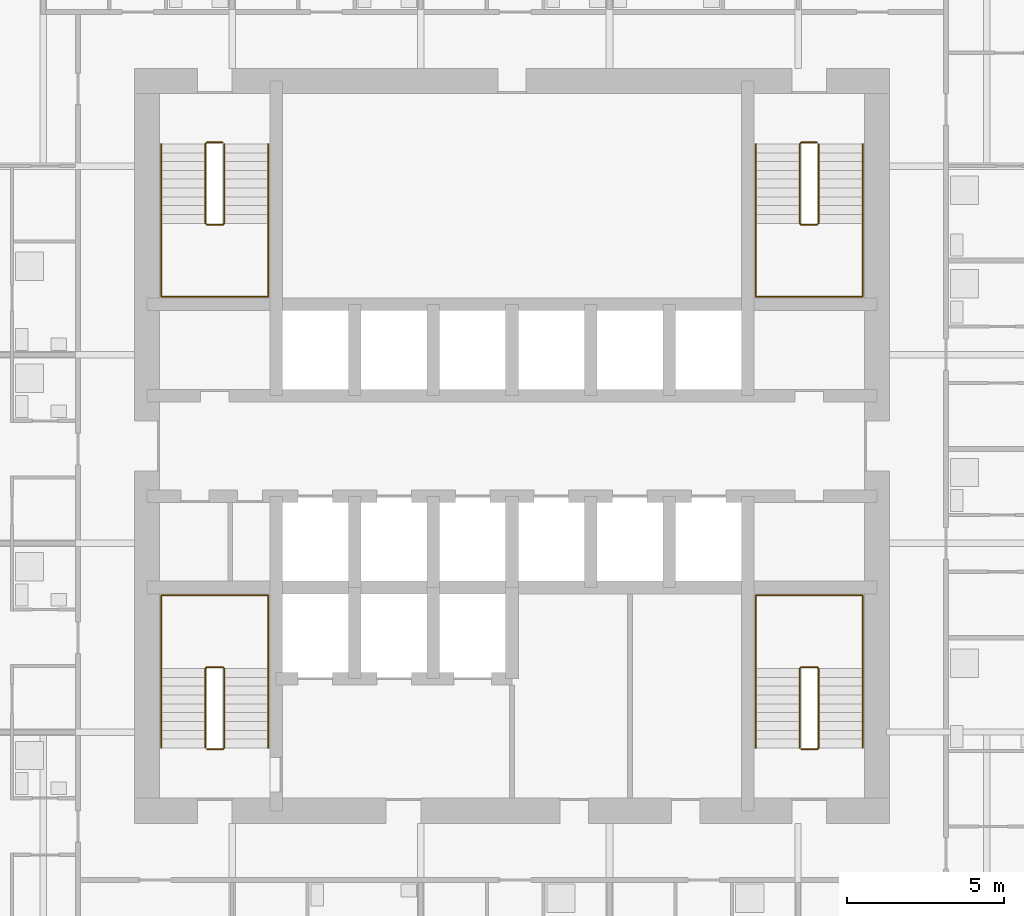
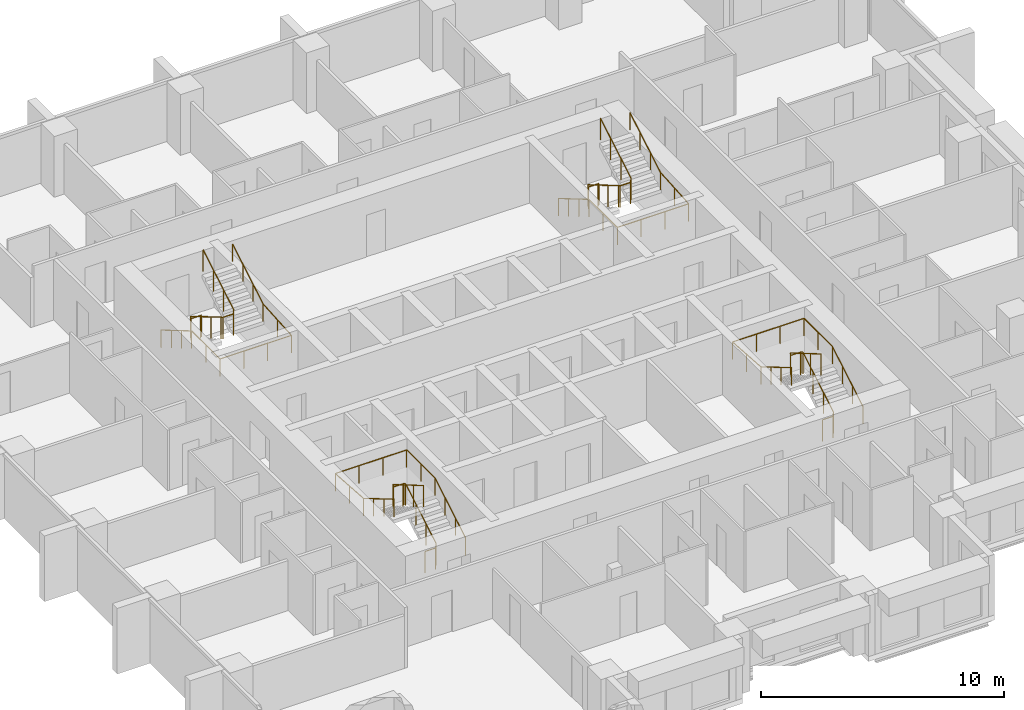
# One storey, part 10 of 11: 8 railings.
"""IFC4 building model written with IfcOpenShell, lengths in metres."""

from ifc_helpers import new_model, si_unit, direction, frame, origin, origin_2d, place, context, subcontext, project, spatial, circle, extrude, material, type_object, element, save


model = new_model("IFC4")

# Units and contexts
model_context = context("Model", 3, precision=1e-05, world=origin(), true_north=direction((0.0, 1.0)))
body_context = subcontext(model_context, "Body", "Model", "MODEL_VIEW")
ifc_project = project(units=[si_unit("LENGTHUNIT", "METRE"), si_unit("AREAUNIT", "SQUARE_METRE"), si_unit("VOLUMEUNIT", "CUBIC_METRE"), si_unit("PLANEANGLEUNIT", "RADIAN"), si_unit("MASSUNIT", "GRAM", prefix="KILO")], contexts=[model_context])

# Site, building, storey
site_placement = place(None, origin())
site = spatial("IfcSite", under=ifc_project, at=site_placement, CompositionType="ELEMENT")
building_placement = place(site_placement, origin())
building = spatial("IfcBuilding", under=site, at=building_placement, Name="Amberfall Residences", CompositionType="ELEMENT")
storey_placement = place(building_placement, frame((0.0, 0.0, 95.199951171875)))
storey = spatial("IfcBuildingStorey", under=building, at=storey_placement, Name="L25", CompositionType="ELEMENT", Elevation=95.199951171875)

# Railings
ifc_material = material(Name="Stainless steel 316", Category="steel")
railing_type_1 = type_object("IfcRailingType", Name="Stair guard 1100", PredefinedType="GUARDRAIL", material=ifc_material)
railing_1_placement = place(storey_placement, frame((64.800048828125, 35.85009765625, 0.0)))
element("IfcRailing", 1, at=railing_1_placement, inside=storey, type_object=railing_type_1, Name="L25 stair 1 guard", PredefinedType="GUARDRAIL", context=body_context, shape_type="SweptSolid", body=[
    extrude(circle(Radius=0.02392578125, at=origin_2d()), frame((0.0, 0.0, 1.076171875), z_axis=(1.0, 0.0, 0.0), x_axis=(0.0, 1.0, 0.0)), (0.0, 0.0, 1.0), 0.5),
    extrude(circle(Radius=0.02392578125, at=origin_2d()), frame((0.5, 0.0, 1.076171875), z_axis=(0.278810427259, 0.277450376394, 0.919394384522), x_axis=(-0.705375805398, 0.708833529934, 0.0)), (0.0, 0.0, 1.0), 0.179443359375),
    extrude(circle(Radius=0.02392578125, at=origin_2d()), frame((0.550048828125, 0.0498046875, 1.2412109375), z_axis=(0.0, 0.86152411907, 0.507716645641), x_axis=(-1.0, 0.0, 0.0)), (0.0, 0.0, 1.0), 2.925048828125),
    extrude(circle(Radius=0.02392578125, at=origin_2d()), frame((0.550048828125, 2.56982421875, 2.72607421875), z_axis=(-0.707106781187, 0.707106781187, 0.0), x_axis=(-0.707106781187, -0.707106781187, 0.0)), (0.0, 0.0, 1.0), 0.07080078125),
    extrude(circle(Radius=0.02392578125, at=origin_2d()), frame((0.5, 2.619873046875, 2.72607421875), z_axis=(-1.0, 0.0, 0.0), x_axis=(0.0, -1.0, 0.0)), (0.0, 0.0, 1.0), 0.5),
    extrude(circle(Radius=0.02392578125, at=origin_2d()), frame((0.0, 2.619873046875, 2.72607421875), z_axis=(-0.279053652268, -0.279053652268, 0.918835196492), x_axis=(0.707106781187, -0.707106781187, 0.0)), (0.0, 0.0, 1.0), 0.179443359375),
    extrude(circle(Radius=0.02392578125, at=origin_2d()), frame((-0.050048828125, 2.56982421875, 2.89111328125), z_axis=(0.0, -0.86152411907, 0.507716645641), x_axis=(1.0, 0.0, 0.0)), (0.0, 0.0, 1.0), 2.925048828125),
    extrude(circle(Radius=0.02099609375, at=origin_2d()), origin(), (0.0, 0.0, 1.0), 1.052001953125),
    extrude(circle(Radius=0.02099609375, at=origin_2d()), frame((0.5, 0.0, 0.0)), (0.0, 0.0, 1.0), 1.052001953125),
    extrude(circle(Radius=0.02099609375, at=origin_2d()), frame((0.550048828125, 0.0498046875, 0.1650390625)), (0.0, 0.0, 1.0), 1.052001953125),
    extrude(circle(Radius=0.02099609375, at=origin_2d()), frame((0.550048828125, 0.889892578125, 0.66015625)), (0.0, 0.0, 1.0), 1.052001953125),
    extrude(circle(Radius=0.02099609375, at=origin_2d()), frame((0.550048828125, 1.729736328125, 1.155029296875)), (0.0, 0.0, 1.0), 1.052001953125),
    extrude(circle(Radius=0.02099609375, at=origin_2d()), frame((0.550048828125, 2.56982421875, 1.650146484375)), (0.0, 0.0, 1.0), 1.052001953125),
    extrude(circle(Radius=0.02099609375, at=origin_2d()), frame((0.5, 2.619873046875, 1.650146484375)), (0.0, 0.0, 1.0), 1.052001953125),
    extrude(circle(Radius=0.02099609375, at=origin_2d()), frame((0.0, 2.619873046875, 1.650146484375)), (0.0, 0.0, 1.0), 1.052001953125),
    extrude(circle(Radius=0.02099609375, at=origin_2d()), frame((-0.050048828125, 2.56982421875, 1.81494140625)), (0.0, 0.0, 1.0), 1.052001953125),
    extrude(circle(Radius=0.02099609375, at=origin_2d()), frame((-0.050048828125, 1.729736328125, 2.31005859375)), (0.0, 0.0, 1.0), 1.052001953125),
    extrude(circle(Radius=0.02099609375, at=origin_2d()), frame((-0.050048828125, 0.889892578125, 2.804931640625)), (0.0, 0.0, 1.0), 1.052001953125),
    extrude(circle(Radius=0.02099609375, at=origin_2d()), frame((-0.050048828125, 0.0498046875, 3.300048828125)), (0.0, 0.0, 1.0), 1.052001953125),
])
railing_2_placement = place(storey_placement, frame((83.699951171875, 35.85009765625, 0.0)))
element("IfcRailing", 2, at=railing_2_placement, inside=storey, type_object=railing_type_1, Name="L25 stair 2 guard", PredefinedType="GUARDRAIL", context=body_context, shape_type="SweptSolid", body=[
    extrude(circle(Radius=0.02392578125, at=origin_2d()), frame((0.0, 0.0, 1.076171875), z_axis=(1.0, 0.0, 0.0), x_axis=(0.0, 1.0, 0.0)), (0.0, 0.0, 1.0), 0.5),
    extrude(circle(Radius=0.02392578125, at=origin_2d()), frame((0.5, 0.0, 1.076171875), z_axis=(0.278810427259, 0.277450376394, 0.919394384522), x_axis=(-0.705375805398, 0.708833529934, 0.0)), (0.0, 0.0, 1.0), 0.179443359375),
    extrude(circle(Radius=0.02392578125, at=origin_2d()), frame((0.550048828125, 0.0498046875, 1.2412109375), z_axis=(0.0, 0.86152411907, 0.507716645641), x_axis=(-1.0, 0.0, 0.0)), (0.0, 0.0, 1.0), 2.925048828125),
    extrude(circle(Radius=0.02392578125, at=origin_2d()), frame((0.550048828125, 2.56982421875, 2.72607421875), z_axis=(-0.707106781187, 0.707106781187, 0.0), x_axis=(-0.707106781187, -0.707106781187, 0.0)), (0.0, 0.0, 1.0), 0.07080078125),
    extrude(circle(Radius=0.02392578125, at=origin_2d()), frame((0.5, 2.619873046875, 2.72607421875), z_axis=(-1.0, 0.0, 0.0), x_axis=(0.0, -1.0, 0.0)), (0.0, 0.0, 1.0), 0.5),
    extrude(circle(Radius=0.02392578125, at=origin_2d()), frame((0.0, 2.619873046875, 2.72607421875), z_axis=(-0.279053652268, -0.279053652268, 0.918835196492), x_axis=(0.707106781187, -0.707106781187, 0.0)), (0.0, 0.0, 1.0), 0.179443359375),
    extrude(circle(Radius=0.02392578125, at=origin_2d()), frame((-0.050048828125, 2.56982421875, 2.89111328125), z_axis=(0.0, -0.86152411907, 0.507716645641), x_axis=(1.0, 0.0, 0.0)), (0.0, 0.0, 1.0), 2.925048828125),
    extrude(circle(Radius=0.02099609375, at=origin_2d()), origin(), (0.0, 0.0, 1.0), 1.052001953125),
    extrude(circle(Radius=0.02099609375, at=origin_2d()), frame((0.5, 0.0, 0.0)), (0.0, 0.0, 1.0), 1.052001953125),
    extrude(circle(Radius=0.02099609375, at=origin_2d()), frame((0.550048828125, 0.0498046875, 0.1650390625)), (0.0, 0.0, 1.0), 1.052001953125),
    extrude(circle(Radius=0.02099609375, at=origin_2d()), frame((0.550048828125, 0.889892578125, 0.66015625)), (0.0, 0.0, 1.0), 1.052001953125),
    extrude(circle(Radius=0.02099609375, at=origin_2d()), frame((0.550048828125, 1.729736328125, 1.155029296875)), (0.0, 0.0, 1.0), 1.052001953125),
    extrude(circle(Radius=0.02099609375, at=origin_2d()), frame((0.550048828125, 2.56982421875, 1.650146484375)), (0.0, 0.0, 1.0), 1.052001953125),
    extrude(circle(Radius=0.02099609375, at=origin_2d()), frame((0.5, 2.619873046875, 1.650146484375)), (0.0, 0.0, 1.0), 1.052001953125),
    extrude(circle(Radius=0.02099609375, at=origin_2d()), frame((0.0, 2.619873046875, 1.650146484375)), (0.0, 0.0, 1.0), 1.052001953125),
    extrude(circle(Radius=0.02099609375, at=origin_2d()), frame((-0.050048828125, 2.56982421875, 1.81494140625)), (0.0, 0.0, 1.0), 1.052001953125),
    extrude(circle(Radius=0.02099609375, at=origin_2d()), frame((-0.050048828125, 1.729736328125, 2.31005859375)), (0.0, 0.0, 1.0), 1.052001953125),
    extrude(circle(Radius=0.02099609375, at=origin_2d()), frame((-0.050048828125, 0.889892578125, 2.804931640625)), (0.0, 0.0, 1.0), 1.052001953125),
    extrude(circle(Radius=0.02099609375, at=origin_2d()), frame((-0.050048828125, 0.0498046875, 3.300048828125)), (0.0, 0.0, 1.0), 1.052001953125),
])
railing_3_placement = place(storey_placement, frame((84.199951171875, 55.14990234375, 0.0)))
element("IfcRailing", 3, at=railing_3_placement, inside=storey, type_object=railing_type_1, Name="L25 stair 3 guard", PredefinedType="GUARDRAIL", context=body_context, shape_type="SweptSolid", body=[
    extrude(circle(Radius=0.02392578125, at=origin_2d()), frame((0.0, 0.0, 1.076171875), z_axis=(-1.0, 0.0, 0.0), x_axis=(0.0, -1.0, 0.0)), (0.0, 0.0, 1.0), 0.5),
    extrude(circle(Radius=0.02392578125, at=origin_2d()), frame((-0.5, 0.0, 1.076171875), z_axis=(-0.278810427259, -0.277450376394, 0.919394384522), x_axis=(0.705375805398, -0.708833529934, 0.0)), (0.0, 0.0, 1.0), 0.179443359375),
    extrude(circle(Radius=0.02392578125, at=origin_2d()), frame((-0.550048828125, -0.0498046875, 1.2412109375), z_axis=(0.0, -0.86152411907, 0.507716645641), x_axis=(1.0, 0.0, 0.0)), (0.0, 0.0, 1.0), 2.925048828125),
    extrude(circle(Radius=0.02392578125, at=origin_2d()), frame((-0.550048828125, -2.56982421875, 2.72607421875), z_axis=(0.707106781187, -0.707106781187, 0.0), x_axis=(0.707106781187, 0.707106781187, 0.0)), (0.0, 0.0, 1.0), 0.07080078125),
    extrude(circle(Radius=0.02392578125, at=origin_2d()), frame((-0.5, -2.619873046875, 2.72607421875), z_axis=(1.0, 0.0, 0.0), x_axis=(0.0, 1.0, 0.0)), (0.0, 0.0, 1.0), 0.5),
    extrude(circle(Radius=0.02392578125, at=origin_2d()), frame((0.0, -2.619873046875, 2.72607421875), z_axis=(0.279053652268, 0.279053652268, 0.918835196492), x_axis=(-0.707106781187, 0.707106781187, 0.0)), (0.0, 0.0, 1.0), 0.179443359375),
    extrude(circle(Radius=0.02392578125, at=origin_2d()), frame((0.050048828125, -2.56982421875, 2.89111328125), z_axis=(0.0, 0.86152411907, 0.507716645641), x_axis=(-1.0, 0.0, 0.0)), (0.0, 0.0, 1.0), 2.925048828125),
    extrude(circle(Radius=0.02099609375, at=origin_2d()), origin(), (0.0, 0.0, 1.0), 1.052001953125),
    extrude(circle(Radius=0.02099609375, at=origin_2d()), frame((-0.5, 0.0, 0.0)), (0.0, 0.0, 1.0), 1.052001953125),
    extrude(circle(Radius=0.02099609375, at=origin_2d()), frame((-0.550048828125, -0.0498046875, 0.1650390625)), (0.0, 0.0, 1.0), 1.052001953125),
    extrude(circle(Radius=0.02099609375, at=origin_2d()), frame((-0.550048828125, -0.889892578125, 0.66015625)), (0.0, 0.0, 1.0), 1.052001953125),
    extrude(circle(Radius=0.02099609375, at=origin_2d()), frame((-0.550048828125, -1.729736328125, 1.155029296875)), (0.0, 0.0, 1.0), 1.052001953125),
    extrude(circle(Radius=0.02099609375, at=origin_2d()), frame((-0.550048828125, -2.56982421875, 1.650146484375)), (0.0, 0.0, 1.0), 1.052001953125),
    extrude(circle(Radius=0.02099609375, at=origin_2d()), frame((-0.5, -2.619873046875, 1.650146484375)), (0.0, 0.0, 1.0), 1.052001953125),
    extrude(circle(Radius=0.02099609375, at=origin_2d()), frame((0.0, -2.619873046875, 1.650146484375)), (0.0, 0.0, 1.0), 1.052001953125),
    extrude(circle(Radius=0.02099609375, at=origin_2d()), frame((0.050048828125, -2.56982421875, 1.81494140625)), (0.0, 0.0, 1.0), 1.052001953125),
    extrude(circle(Radius=0.02099609375, at=origin_2d()), frame((0.050048828125, -1.729736328125, 2.31005859375)), (0.0, 0.0, 1.0), 1.052001953125),
    extrude(circle(Radius=0.02099609375, at=origin_2d()), frame((0.050048828125, -0.889892578125, 2.804931640625)), (0.0, 0.0, 1.0), 1.052001953125),
    extrude(circle(Radius=0.02099609375, at=origin_2d()), frame((0.050048828125, -0.0498046875, 3.300048828125)), (0.0, 0.0, 1.0), 1.052001953125),
])
railing_4_placement = place(storey_placement, frame((65.300048828125, 55.14990234375, 0.0)))
element("IfcRailing", 4, at=railing_4_placement, inside=storey, type_object=railing_type_1, Name="L25 stair 4 guard", PredefinedType="GUARDRAIL", context=body_context, shape_type="SweptSolid", body=[
    extrude(circle(Radius=0.02392578125, at=origin_2d()), frame((0.0, 0.0, 1.076171875), z_axis=(-1.0, 0.0, 0.0), x_axis=(0.0, -1.0, 0.0)), (0.0, 0.0, 1.0), 0.5),
    extrude(circle(Radius=0.02392578125, at=origin_2d()), frame((-0.5, 0.0, 1.076171875), z_axis=(-0.278810427259, -0.277450376394, 0.919394384522), x_axis=(0.705375805398, -0.708833529934, 0.0)), (0.0, 0.0, 1.0), 0.179443359375),
    extrude(circle(Radius=0.02392578125, at=origin_2d()), frame((-0.550048828125, -0.0498046875, 1.2412109375), z_axis=(0.0, -0.86152411907, 0.507716645641), x_axis=(1.0, 0.0, 0.0)), (0.0, 0.0, 1.0), 2.925048828125),
    extrude(circle(Radius=0.02392578125, at=origin_2d()), frame((-0.550048828125, -2.56982421875, 2.72607421875), z_axis=(0.707106781187, -0.707106781187, 0.0), x_axis=(0.707106781187, 0.707106781187, 0.0)), (0.0, 0.0, 1.0), 0.07080078125),
    extrude(circle(Radius=0.02392578125, at=origin_2d()), frame((-0.5, -2.619873046875, 2.72607421875), z_axis=(1.0, 0.0, 0.0), x_axis=(0.0, 1.0, 0.0)), (0.0, 0.0, 1.0), 0.5),
    extrude(circle(Radius=0.02392578125, at=origin_2d()), frame((0.0, -2.619873046875, 2.72607421875), z_axis=(0.279053652268, 0.279053652268, 0.918835196492), x_axis=(-0.707106781187, 0.707106781187, 0.0)), (0.0, 0.0, 1.0), 0.179443359375),
    extrude(circle(Radius=0.02392578125, at=origin_2d()), frame((0.050048828125, -2.56982421875, 2.89111328125), z_axis=(0.0, 0.86152411907, 0.507716645641), x_axis=(-1.0, 0.0, 0.0)), (0.0, 0.0, 1.0), 2.925048828125),
    extrude(circle(Radius=0.02099609375, at=origin_2d()), origin(), (0.0, 0.0, 1.0), 1.052001953125),
    extrude(circle(Radius=0.02099609375, at=origin_2d()), frame((-0.5, 0.0, 0.0)), (0.0, 0.0, 1.0), 1.052001953125),
    extrude(circle(Radius=0.02099609375, at=origin_2d()), frame((-0.550048828125, -0.0498046875, 0.1650390625)), (0.0, 0.0, 1.0), 1.052001953125),
    extrude(circle(Radius=0.02099609375, at=origin_2d()), frame((-0.550048828125, -0.889892578125, 0.66015625)), (0.0, 0.0, 1.0), 1.052001953125),
    extrude(circle(Radius=0.02099609375, at=origin_2d()), frame((-0.550048828125, -1.729736328125, 1.155029296875)), (0.0, 0.0, 1.0), 1.052001953125),
    extrude(circle(Radius=0.02099609375, at=origin_2d()), frame((-0.550048828125, -2.56982421875, 1.650146484375)), (0.0, 0.0, 1.0), 1.052001953125),
    extrude(circle(Radius=0.02099609375, at=origin_2d()), frame((-0.5, -2.619873046875, 1.650146484375)), (0.0, 0.0, 1.0), 1.052001953125),
    extrude(circle(Radius=0.02099609375, at=origin_2d()), frame((0.0, -2.619873046875, 1.650146484375)), (0.0, 0.0, 1.0), 1.052001953125),
    extrude(circle(Radius=0.02099609375, at=origin_2d()), frame((0.050048828125, -2.56982421875, 1.81494140625)), (0.0, 0.0, 1.0), 1.052001953125),
    extrude(circle(Radius=0.02099609375, at=origin_2d()), frame((0.050048828125, -1.729736328125, 2.31005859375)), (0.0, 0.0, 1.0), 1.052001953125),
    extrude(circle(Radius=0.02099609375, at=origin_2d()), frame((0.050048828125, -0.889892578125, 2.804931640625)), (0.0, 0.0, 1.0), 1.052001953125),
    extrude(circle(Radius=0.02099609375, at=origin_2d()), frame((0.050048828125, -0.0498046875, 3.300048828125)), (0.0, 0.0, 1.0), 1.052001953125),
])
railing_type_2 = type_object("IfcRailingType", Name="Stair handrail 900", PredefinedType="HANDRAIL", material=ifc_material)
railing_5_placement = place(storey_placement, frame((66.75, 35.89990234375, 0.1650390625)))
element("IfcRailing", 5, at=railing_5_placement, inside=storey, type_object=railing_type_2, Name="L25 stair 1 handrail", PredefinedType="HANDRAIL", context=body_context, shape_type="SweptSolid", body=[
    extrude(circle(Radius=0.02392578125, at=origin_2d()), frame((0.0, 0.0, 0.8759765625), z_axis=(0.0, 0.86152411907, 0.507716645641), x_axis=(-1.0, 0.0, 0.0)), (0.0, 0.0, 1.0), 2.925048828125),
    extrude(circle(Radius=0.02392578125, at=origin_2d()), frame((0.0, 2.52001953125, 2.36083984375), z_axis=(0.0, 1.0, 0.0), x_axis=(-1.0, 0.0, 0.0)), (0.0, 0.0, 1.0), 2.330078125),
    extrude(circle(Radius=0.02392578125, at=origin_2d()), frame((0.0, 4.85009765625, 2.36083984375), z_axis=(-1.0, 0.0, 0.0), x_axis=(0.0, -1.0, 0.0)), (0.0, 0.0, 1.0), 3.39990234375),
    extrude(circle(Radius=0.02392578125, at=origin_2d()), frame((-3.39990234375, 4.85009765625, 2.36083984375), z_axis=(0.0, -0.997508326432, 0.070548839097), x_axis=(1.0, 0.0, 0.0)), (0.0, 0.0, 1.0), 2.3359375),
    extrude(circle(Radius=0.02392578125, at=origin_2d()), frame((-3.39990234375, 2.52001953125, 2.52587890625), z_axis=(0.0, -0.86152411907, 0.507716645641), x_axis=(1.0, 0.0, 0.0)), (0.0, 0.0, 1.0), 2.925048828125),
    extrude(circle(Radius=0.02099609375, at=origin_2d()), origin(), (0.0, 0.0, 1.0), 0.851806640625),
    extrude(circle(Radius=0.02099609375, at=origin_2d()), frame((0.0, 0.840087890625, 0.4951171875)), (0.0, 0.0, 1.0), 0.851806640625),
    extrude(circle(Radius=0.02099609375, at=origin_2d()), frame((0.0, 1.679931640625, 0.989990234375)), (0.0, 0.0, 1.0), 0.851806640625),
    extrude(circle(Radius=0.02099609375, at=origin_2d()), frame((0.0, 2.52001953125, 1.485107421875)), (0.0, 0.0, 1.0), 0.851806640625),
    extrude(circle(Radius=0.02099609375, at=origin_2d()), frame((0.0, 3.68505859375, 1.485107421875)), (0.0, 0.0, 1.0), 0.851806640625),
    extrude(circle(Radius=0.02099609375, at=origin_2d()), frame((0.0, 4.85009765625, 1.485107421875)), (0.0, 0.0, 1.0), 0.851806640625),
    extrude(circle(Radius=0.02099609375, at=origin_2d()), frame((-1.13330078125, 4.85009765625, 1.485107421875)), (0.0, 0.0, 1.0), 0.851806640625),
    extrude(circle(Radius=0.02099609375, at=origin_2d()), frame((-2.2666015625, 4.85009765625, 1.485107421875)), (0.0, 0.0, 1.0), 0.851806640625),
    extrude(circle(Radius=0.02099609375, at=origin_2d()), frame((-3.39990234375, 4.85009765625, 1.485107421875)), (0.0, 0.0, 1.0), 0.851806640625),
    extrude(circle(Radius=0.02099609375, at=origin_2d()), frame((-3.39990234375, 3.68505859375, 1.5673828125)), (0.0, 0.0, 1.0), 0.851806640625),
    extrude(circle(Radius=0.02099609375, at=origin_2d()), frame((-3.39990234375, 2.52001953125, 1.64990234375)), (0.0, 0.0, 1.0), 0.851806640625),
    extrude(circle(Radius=0.02099609375, at=origin_2d()), frame((-3.39990234375, 1.679931640625, 2.14501953125)), (0.0, 0.0, 1.0), 0.851806640625),
    extrude(circle(Radius=0.02099609375, at=origin_2d()), frame((-3.39990234375, 0.840087890625, 2.639892578125)), (0.0, 0.0, 1.0), 0.851806640625),
    extrude(circle(Radius=0.02099609375, at=origin_2d()), frame((-3.39990234375, 0.0, 3.135009765625)), (0.0, 0.0, 1.0), 0.851806640625),
])
railing_6_placement = place(storey_placement, frame((85.64990234375, 35.89990234375, 0.1650390625)))
element("IfcRailing", 6, at=railing_6_placement, inside=storey, type_object=railing_type_2, Name="L25 stair 2 handrail", PredefinedType="HANDRAIL", context=body_context, shape_type="SweptSolid", body=[
    extrude(circle(Radius=0.02392578125, at=origin_2d()), frame((0.0, 0.0, 0.8759765625), z_axis=(0.0, 0.86152411907, 0.507716645641), x_axis=(-1.0, 0.0, 0.0)), (0.0, 0.0, 1.0), 2.925048828125),
    extrude(circle(Radius=0.02392578125, at=origin_2d()), frame((0.0, 2.52001953125, 2.36083984375), z_axis=(0.0, 1.0, 0.0), x_axis=(-1.0, 0.0, 0.0)), (0.0, 0.0, 1.0), 2.330078125),
    extrude(circle(Radius=0.02392578125, at=origin_2d()), frame((0.0, 4.85009765625, 2.36083984375), z_axis=(-1.0, 0.0, 0.0), x_axis=(0.0, -1.0, 0.0)), (0.0, 0.0, 1.0), 3.39990234375),
    extrude(circle(Radius=0.02392578125, at=origin_2d()), frame((-3.39990234375, 4.85009765625, 2.36083984375), z_axis=(0.0, -0.997508326432, 0.070548839097), x_axis=(1.0, 0.0, 0.0)), (0.0, 0.0, 1.0), 2.3359375),
    extrude(circle(Radius=0.02392578125, at=origin_2d()), frame((-3.39990234375, 2.52001953125, 2.52587890625), z_axis=(0.0, -0.86152411907, 0.507716645641), x_axis=(1.0, 0.0, 0.0)), (0.0, 0.0, 1.0), 2.925048828125),
    extrude(circle(Radius=0.02099609375, at=origin_2d()), origin(), (0.0, 0.0, 1.0), 0.851806640625),
    extrude(circle(Radius=0.02099609375, at=origin_2d()), frame((0.0, 0.840087890625, 0.4951171875)), (0.0, 0.0, 1.0), 0.851806640625),
    extrude(circle(Radius=0.02099609375, at=origin_2d()), frame((0.0, 1.679931640625, 0.989990234375)), (0.0, 0.0, 1.0), 0.851806640625),
    extrude(circle(Radius=0.02099609375, at=origin_2d()), frame((0.0, 2.52001953125, 1.485107421875)), (0.0, 0.0, 1.0), 0.851806640625),
    extrude(circle(Radius=0.02099609375, at=origin_2d()), frame((0.0, 3.68505859375, 1.485107421875)), (0.0, 0.0, 1.0), 0.851806640625),
    extrude(circle(Radius=0.02099609375, at=origin_2d()), frame((0.0, 4.85009765625, 1.485107421875)), (0.0, 0.0, 1.0), 0.851806640625),
    extrude(circle(Radius=0.02099609375, at=origin_2d()), frame((-1.13330078125, 4.85009765625, 1.485107421875)), (0.0, 0.0, 1.0), 0.851806640625),
    extrude(circle(Radius=0.02099609375, at=origin_2d()), frame((-2.2666015625, 4.85009765625, 1.485107421875)), (0.0, 0.0, 1.0), 0.851806640625),
    extrude(circle(Radius=0.02099609375, at=origin_2d()), frame((-3.39990234375, 4.85009765625, 1.485107421875)), (0.0, 0.0, 1.0), 0.851806640625),
    extrude(circle(Radius=0.02099609375, at=origin_2d()), frame((-3.39990234375, 3.68505859375, 1.5673828125)), (0.0, 0.0, 1.0), 0.851806640625),
    extrude(circle(Radius=0.02099609375, at=origin_2d()), frame((-3.39990234375, 2.52001953125, 1.64990234375)), (0.0, 0.0, 1.0), 0.851806640625),
    extrude(circle(Radius=0.02099609375, at=origin_2d()), frame((-3.39990234375, 1.679931640625, 2.14501953125)), (0.0, 0.0, 1.0), 0.851806640625),
    extrude(circle(Radius=0.02099609375, at=origin_2d()), frame((-3.39990234375, 0.840087890625, 2.639892578125)), (0.0, 0.0, 1.0), 0.851806640625),
    extrude(circle(Radius=0.02099609375, at=origin_2d()), frame((-3.39990234375, 0.0, 3.135009765625)), (0.0, 0.0, 1.0), 0.851806640625),
])
railing_7_placement = place(storey_placement, frame((82.25, 55.10009765625, 0.1650390625)))
element("IfcRailing", 7, at=railing_7_placement, inside=storey, type_object=railing_type_2, Name="L25 stair 3 handrail", PredefinedType="HANDRAIL", context=body_context, shape_type="SweptSolid", body=[
    extrude(circle(Radius=0.02392578125, at=origin_2d()), frame((0.0, 0.0, 0.8759765625), z_axis=(0.0, -0.86152411907, 0.507716645641), x_axis=(1.0, 0.0, 0.0)), (0.0, 0.0, 1.0), 2.925048828125),
    extrude(circle(Radius=0.02392578125, at=origin_2d()), frame((0.0, -2.52001953125, 2.36083984375), z_axis=(0.0, -1.0, 0.0), x_axis=(1.0, 0.0, 0.0)), (0.0, 0.0, 1.0), 2.330078125),
    extrude(circle(Radius=0.02392578125, at=origin_2d()), frame((0.0, -4.85009765625, 2.36083984375), z_axis=(1.0, 0.0, 0.0), x_axis=(0.0, 1.0, 0.0)), (0.0, 0.0, 1.0), 3.39990234375),
    extrude(circle(Radius=0.02392578125, at=origin_2d()), frame((3.39990234375, -4.85009765625, 2.36083984375), z_axis=(0.0, 0.997508326432, 0.070548839097), x_axis=(-1.0, 0.0, 0.0)), (0.0, 0.0, 1.0), 2.3359375),
    extrude(circle(Radius=0.02392578125, at=origin_2d()), frame((3.39990234375, -2.52001953125, 2.52587890625), z_axis=(0.0, 0.86152411907, 0.507716645641), x_axis=(-1.0, 0.0, 0.0)), (0.0, 0.0, 1.0), 2.925048828125),
    extrude(circle(Radius=0.02099609375, at=origin_2d()), origin(), (0.0, 0.0, 1.0), 0.851806640625),
    extrude(circle(Radius=0.02099609375, at=origin_2d()), frame((0.0, -0.840087890625, 0.4951171875)), (0.0, 0.0, 1.0), 0.851806640625),
    extrude(circle(Radius=0.02099609375, at=origin_2d()), frame((0.0, -1.679931640625, 0.989990234375)), (0.0, 0.0, 1.0), 0.851806640625),
    extrude(circle(Radius=0.02099609375, at=origin_2d()), frame((0.0, -2.52001953125, 1.485107421875)), (0.0, 0.0, 1.0), 0.851806640625),
    extrude(circle(Radius=0.02099609375, at=origin_2d()), frame((0.0, -3.68505859375, 1.485107421875)), (0.0, 0.0, 1.0), 0.851806640625),
    extrude(circle(Radius=0.02099609375, at=origin_2d()), frame((0.0, -4.85009765625, 1.485107421875)), (0.0, 0.0, 1.0), 0.851806640625),
    extrude(circle(Radius=0.02099609375, at=origin_2d()), frame((1.13330078125, -4.85009765625, 1.485107421875)), (0.0, 0.0, 1.0), 0.851806640625),
    extrude(circle(Radius=0.02099609375, at=origin_2d()), frame((2.2666015625, -4.85009765625, 1.485107421875)), (0.0, 0.0, 1.0), 0.851806640625),
    extrude(circle(Radius=0.02099609375, at=origin_2d()), frame((3.39990234375, -4.85009765625, 1.485107421875)), (0.0, 0.0, 1.0), 0.851806640625),
    extrude(circle(Radius=0.02099609375, at=origin_2d()), frame((3.39990234375, -3.68505859375, 1.5673828125)), (0.0, 0.0, 1.0), 0.851806640625),
    extrude(circle(Radius=0.02099609375, at=origin_2d()), frame((3.39990234375, -2.52001953125, 1.64990234375)), (0.0, 0.0, 1.0), 0.851806640625),
    extrude(circle(Radius=0.02099609375, at=origin_2d()), frame((3.39990234375, -1.679931640625, 2.14501953125)), (0.0, 0.0, 1.0), 0.851806640625),
    extrude(circle(Radius=0.02099609375, at=origin_2d()), frame((3.39990234375, -0.840087890625, 2.639892578125)), (0.0, 0.0, 1.0), 0.851806640625),
    extrude(circle(Radius=0.02099609375, at=origin_2d()), frame((3.39990234375, 0.0, 3.135009765625)), (0.0, 0.0, 1.0), 0.851806640625),
])
railing_8_placement = place(storey_placement, frame((63.35009765625, 55.10009765625, 0.1650390625)))
element("IfcRailing", 8, at=railing_8_placement, inside=storey, type_object=railing_type_2, Name="L25 stair 4 handrail", PredefinedType="HANDRAIL", context=body_context, shape_type="SweptSolid", body=[
    extrude(circle(Radius=0.02392578125, at=origin_2d()), frame((0.0, 0.0, 0.8759765625), z_axis=(0.0, -0.86152411907, 0.507716645641), x_axis=(1.0, 0.0, 0.0)), (0.0, 0.0, 1.0), 2.925048828125),
    extrude(circle(Radius=0.02392578125, at=origin_2d()), frame((0.0, -2.52001953125, 2.36083984375), z_axis=(0.0, -1.0, 0.0), x_axis=(1.0, 0.0, 0.0)), (0.0, 0.0, 1.0), 2.330078125),
    extrude(circle(Radius=0.02392578125, at=origin_2d()), frame((0.0, -4.85009765625, 2.36083984375), z_axis=(1.0, 0.0, 0.0), x_axis=(0.0, 1.0, 0.0)), (0.0, 0.0, 1.0), 3.39990234375),
    extrude(circle(Radius=0.02392578125, at=origin_2d()), frame((3.39990234375, -4.85009765625, 2.36083984375), z_axis=(0.0, 0.997508326432, 0.070548839097), x_axis=(-1.0, 0.0, 0.0)), (0.0, 0.0, 1.0), 2.3359375),
    extrude(circle(Radius=0.02392578125, at=origin_2d()), frame((3.39990234375, -2.52001953125, 2.52587890625), z_axis=(0.0, 0.86152411907, 0.507716645641), x_axis=(-1.0, 0.0, 0.0)), (0.0, 0.0, 1.0), 2.925048828125),
    extrude(circle(Radius=0.02099609375, at=origin_2d()), origin(), (0.0, 0.0, 1.0), 0.851806640625),
    extrude(circle(Radius=0.02099609375, at=origin_2d()), frame((0.0, -0.840087890625, 0.4951171875)), (0.0, 0.0, 1.0), 0.851806640625),
    extrude(circle(Radius=0.02099609375, at=origin_2d()), frame((0.0, -1.679931640625, 0.989990234375)), (0.0, 0.0, 1.0), 0.851806640625),
    extrude(circle(Radius=0.02099609375, at=origin_2d()), frame((0.0, -2.52001953125, 1.485107421875)), (0.0, 0.0, 1.0), 0.851806640625),
    extrude(circle(Radius=0.02099609375, at=origin_2d()), frame((0.0, -3.68505859375, 1.485107421875)), (0.0, 0.0, 1.0), 0.851806640625),
    extrude(circle(Radius=0.02099609375, at=origin_2d()), frame((0.0, -4.85009765625, 1.485107421875)), (0.0, 0.0, 1.0), 0.851806640625),
    extrude(circle(Radius=0.02099609375, at=origin_2d()), frame((1.13330078125, -4.85009765625, 1.485107421875)), (0.0, 0.0, 1.0), 0.851806640625),
    extrude(circle(Radius=0.02099609375, at=origin_2d()), frame((2.2666015625, -4.85009765625, 1.485107421875)), (0.0, 0.0, 1.0), 0.851806640625),
    extrude(circle(Radius=0.02099609375, at=origin_2d()), frame((3.39990234375, -4.85009765625, 1.485107421875)), (0.0, 0.0, 1.0), 0.851806640625),
    extrude(circle(Radius=0.02099609375, at=origin_2d()), frame((3.39990234375, -3.68505859375, 1.5673828125)), (0.0, 0.0, 1.0), 0.851806640625),
    extrude(circle(Radius=0.02099609375, at=origin_2d()), frame((3.39990234375, -2.52001953125, 1.64990234375)), (0.0, 0.0, 1.0), 0.851806640625),
    extrude(circle(Radius=0.02099609375, at=origin_2d()), frame((3.39990234375, -1.679931640625, 2.14501953125)), (0.0, 0.0, 1.0), 0.851806640625),
    extrude(circle(Radius=0.02099609375, at=origin_2d()), frame((3.39990234375, -0.840087890625, 2.639892578125)), (0.0, 0.0, 1.0), 0.851806640625),
    extrude(circle(Radius=0.02099609375, at=origin_2d()), frame((3.39990234375, 0.0, 3.135009765625)), (0.0, 0.0, 1.0), 0.851806640625),
])

save(model, "model.ifc")
